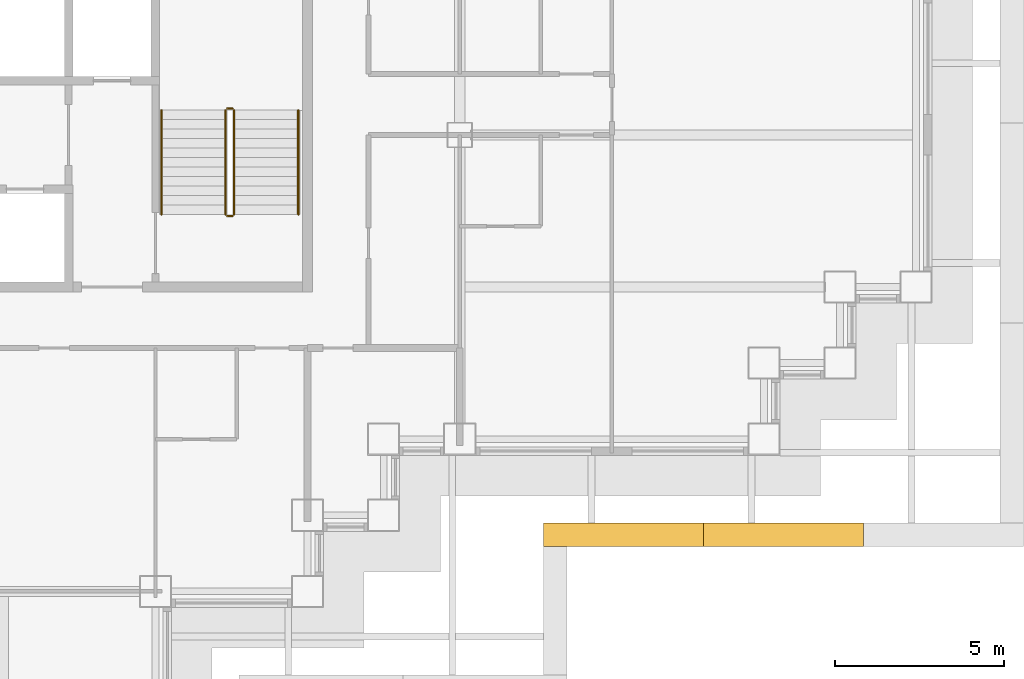
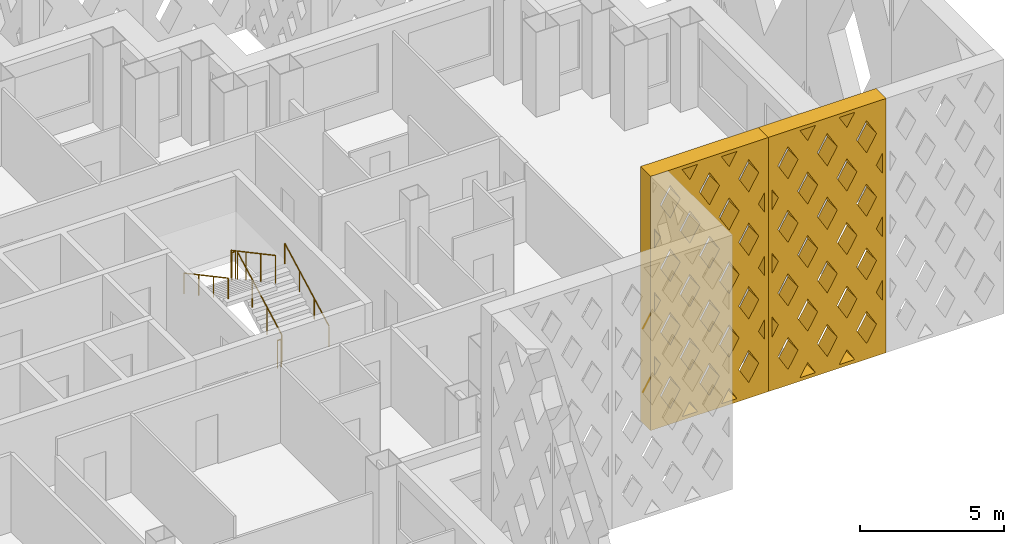
# One storey, part 16 of 19: 6 railings, 2 shading devices.
"""IFC4 building model written with IfcOpenShell, lengths in metres."""

from ifc_helpers import new_model, si_unit, direction, frame, origin, origin_2d, place, context, subcontext, project, spatial, polyline, circle, outline, extrude, material, type_object, element, save


model = new_model("IFC4")

# Units and contexts
model_context = context("Model", 3, precision=1e-05, world=origin(), true_north=direction((0.0, 1.0)))
body_context = subcontext(model_context, "Body", "Model", "MODEL_VIEW")
ifc_project = project(units=[si_unit("LENGTHUNIT", "METRE"), si_unit("AREAUNIT", "SQUARE_METRE"), si_unit("VOLUMEUNIT", "CUBIC_METRE"), si_unit("PLANEANGLEUNIT", "RADIAN"), si_unit("MASSUNIT", "GRAM", prefix="KILO")], contexts=[model_context])

# Site, building, storey
site_placement = place(None, origin())
site = spatial("IfcSite", under=ifc_project, at=site_placement, CompositionType="ELEMENT")
building_placement = place(site_placement, origin())
building = spatial("IfcBuilding", under=site, at=building_placement, Name="Caravel Reach Hotel and Residences", CompositionType="ELEMENT")
storey_placement = place(building_placement, frame((0.0, 0.0, 85.199951171875)))
storey = spatial("IfcBuildingStorey", under=building, at=storey_placement, Name="L20", CompositionType="ELEMENT", Elevation=85.199951171875)

# Shading devices
ifc_material_1 = material(Name="Black powder-coated aluminium", Category="aluminium")
shading_device_type = type_object("IfcShadingDeviceType", Name="Diamond lattice screen panel 4733 x 10800", PredefinedType="USERDEFINED", material=ifc_material_1)
shading_device_1_placement = place(storey_placement, frame((51.97509765625, 15.52490234375, 0.0), z_axis=(0.0, -1.0, 0.0), x_axis=(1.0, 0.0, 0.0)))
element("IfcShadingDevice", 1, at=shading_device_1_placement, inside=storey, type_object=shading_device_type, Name="Lattice screen L20-L22 6.1", ObjectType="SCREEN", PredefinedType="USERDEFINED", context=body_context, shape_type="SweptSolid", body=[
    extrude(outline(polyline([(0.0, 0.0), (4.7333984375, 0.0), (4.7333984375, 10.800048828125), (0.0, 10.800048828125), (0.0, 0.0)]), holes=[polyline([(0.4013671875, 2.699951171875), (0.14990234375, 3.130126953125), (0.14990234375, 2.269775390625), (0.4013671875, 2.699951171875)]), polyline([(0.4013671875, 5.39990234375), (0.14990234375, 5.830078125), (0.14990234375, 4.969970703125), (0.4013671875, 5.39990234375)]), polyline([(0.4013671875, 8.10009765625), (0.14990234375, 8.530029296875), (0.14990234375, 7.669921875), (0.4013671875, 8.10009765625)]), polyline([(0.788818359375, 2.036865234375), (0.387451171875, 1.35009765625), (0.788818359375, 0.6630859375), (1.190185546875, 1.35009765625), (0.788818359375, 2.036865234375)]), polyline([(0.788818359375, 4.73681640625), (0.387451171875, 4.050048828125), (0.788818359375, 3.36328125), (1.190185546875, 4.050048828125), (0.788818359375, 4.73681640625)]), polyline([(0.788818359375, 7.436767578125), (0.387451171875, 6.75), (0.788818359375, 6.063232421875), (1.190185546875, 6.75), (0.788818359375, 7.436767578125)]), polyline([(0.788818359375, 10.13671875), (0.387451171875, 9.449951171875), (0.788818359375, 8.76318359375), (1.190185546875, 9.449951171875), (0.788818359375, 10.13671875)]), polyline([(1.577880859375, 0.686767578125), (1.26416015625, 0.14990234375), (1.8916015625, 0.14990234375), (1.577880859375, 0.686767578125)]), polyline([(1.577880859375, 3.38671875), (1.176513671875, 2.699951171875), (1.577880859375, 2.01318359375), (1.979248046875, 2.699951171875), (1.577880859375, 3.38671875)]), polyline([(1.577880859375, 6.0869140625), (1.176513671875, 5.39990234375), (1.577880859375, 4.713134765625), (1.979248046875, 5.39990234375), (1.577880859375, 6.0869140625)]), polyline([(1.577880859375, 8.786865234375), (1.176513671875, 8.10009765625), (1.577880859375, 7.4130859375), (1.979248046875, 8.10009765625), (1.577880859375, 8.786865234375)]), polyline([(1.577880859375, 10.11328125), (1.8916015625, 10.64990234375), (1.26416015625, 10.64990234375), (1.577880859375, 10.11328125)]), polyline([(2.36669921875, 2.036865234375), (1.96533203125, 1.35009765625), (2.36669921875, 0.6630859375), (2.76806640625, 1.35009765625), (2.36669921875, 2.036865234375)]), polyline([(2.36669921875, 4.73681640625), (1.96533203125, 4.050048828125), (2.36669921875, 3.36328125), (2.76806640625, 4.050048828125), (2.36669921875, 4.73681640625)]), polyline([(2.36669921875, 7.436767578125), (1.96533203125, 6.75), (2.36669921875, 6.063232421875), (2.76806640625, 6.75), (2.36669921875, 7.436767578125)]), polyline([(2.36669921875, 10.13671875), (1.96533203125, 9.449951171875), (2.36669921875, 8.76318359375), (2.76806640625, 9.449951171875), (2.36669921875, 10.13671875)]), polyline([(3.155517578125, 0.686767578125), (2.841796875, 0.14990234375), (3.46923828125, 0.14990234375), (3.155517578125, 0.686767578125)]), polyline([(3.155517578125, 3.38671875), (2.754150390625, 2.699951171875), (3.155517578125, 2.01318359375), (3.556884765625, 2.699951171875), (3.155517578125, 3.38671875)]), polyline([(3.155517578125, 6.0869140625), (2.754150390625, 5.39990234375), (3.155517578125, 4.713134765625), (3.556884765625, 5.39990234375), (3.155517578125, 6.0869140625)]), polyline([(3.155517578125, 8.786865234375), (2.754150390625, 8.10009765625), (3.155517578125, 7.4130859375), (3.556884765625, 8.10009765625), (3.155517578125, 8.786865234375)]), polyline([(3.155517578125, 10.11328125), (3.46923828125, 10.64990234375), (2.841796875, 10.64990234375), (3.155517578125, 10.11328125)]), polyline([(3.9443359375, 2.036865234375), (3.54296875, 1.35009765625), (3.9443359375, 0.6630859375), (4.345703125, 1.35009765625), (3.9443359375, 2.036865234375)]), polyline([(3.9443359375, 4.73681640625), (3.54296875, 4.050048828125), (3.9443359375, 3.36328125), (4.345703125, 4.050048828125), (3.9443359375, 4.73681640625)]), polyline([(3.9443359375, 7.436767578125), (3.54296875, 6.75), (3.9443359375, 6.063232421875), (4.345703125, 6.75), (3.9443359375, 7.436767578125)]), polyline([(3.9443359375, 10.13671875), (3.54296875, 9.449951171875), (3.9443359375, 8.76318359375), (4.345703125, 9.449951171875), (3.9443359375, 10.13671875)]), polyline([(4.33203125, 2.699951171875), (4.583251953125, 2.269775390625), (4.583251953125, 3.130126953125), (4.33203125, 2.699951171875)]), polyline([(4.33203125, 5.39990234375), (4.583251953125, 4.969970703125), (4.583251953125, 5.830078125), (4.33203125, 5.39990234375)]), polyline([(4.33203125, 8.10009765625), (4.583251953125, 7.669921875), (4.583251953125, 8.530029296875), (4.33203125, 8.10009765625)])]), origin(), (0.0, 0.0, 1.0), 0.699951171875),
])
shading_device_2_placement = place(storey_placement, frame((56.708251953125, 15.52490234375, 0.0), z_axis=(0.0, -1.0, 0.0), x_axis=(1.0, 0.0, 0.0)))
element("IfcShadingDevice", 2, at=shading_device_2_placement, inside=storey, type_object=shading_device_type, Name="Lattice screen L20-L22 6.2", ObjectType="SCREEN", PredefinedType="USERDEFINED", context=body_context, shape_type="SweptSolid", body=[
    extrude(outline(polyline([(0.0, 0.0), (4.7333984375, 0.0), (4.7333984375, 10.800048828125), (0.0, 10.800048828125), (0.0, 0.0)]), holes=[polyline([(0.4013671875, 2.699951171875), (0.14990234375, 3.130126953125), (0.14990234375, 2.269775390625), (0.4013671875, 2.699951171875)]), polyline([(0.4013671875, 5.39990234375), (0.14990234375, 5.830078125), (0.14990234375, 4.969970703125), (0.4013671875, 5.39990234375)]), polyline([(0.4013671875, 8.10009765625), (0.14990234375, 8.530029296875), (0.14990234375, 7.669921875), (0.4013671875, 8.10009765625)]), polyline([(0.788818359375, 2.036865234375), (0.387451171875, 1.35009765625), (0.788818359375, 0.6630859375), (1.190185546875, 1.35009765625), (0.788818359375, 2.036865234375)]), polyline([(0.788818359375, 4.73681640625), (0.387451171875, 4.050048828125), (0.788818359375, 3.36328125), (1.190185546875, 4.050048828125), (0.788818359375, 4.73681640625)]), polyline([(0.788818359375, 7.436767578125), (0.387451171875, 6.75), (0.788818359375, 6.063232421875), (1.190185546875, 6.75), (0.788818359375, 7.436767578125)]), polyline([(0.788818359375, 10.13671875), (0.387451171875, 9.449951171875), (0.788818359375, 8.76318359375), (1.190185546875, 9.449951171875), (0.788818359375, 10.13671875)]), polyline([(1.577880859375, 0.686767578125), (1.26416015625, 0.14990234375), (1.8916015625, 0.14990234375), (1.577880859375, 0.686767578125)]), polyline([(1.577880859375, 3.38671875), (1.176513671875, 2.699951171875), (1.577880859375, 2.01318359375), (1.979248046875, 2.699951171875), (1.577880859375, 3.38671875)]), polyline([(1.577880859375, 6.0869140625), (1.176513671875, 5.39990234375), (1.577880859375, 4.713134765625), (1.979248046875, 5.39990234375), (1.577880859375, 6.0869140625)]), polyline([(1.577880859375, 8.786865234375), (1.176513671875, 8.10009765625), (1.577880859375, 7.4130859375), (1.979248046875, 8.10009765625), (1.577880859375, 8.786865234375)]), polyline([(1.577880859375, 10.11328125), (1.8916015625, 10.64990234375), (1.26416015625, 10.64990234375), (1.577880859375, 10.11328125)]), polyline([(2.36669921875, 2.036865234375), (1.96533203125, 1.35009765625), (2.36669921875, 0.6630859375), (2.76806640625, 1.35009765625), (2.36669921875, 2.036865234375)]), polyline([(2.36669921875, 4.73681640625), (1.96533203125, 4.050048828125), (2.36669921875, 3.36328125), (2.76806640625, 4.050048828125), (2.36669921875, 4.73681640625)]), polyline([(2.36669921875, 7.436767578125), (1.96533203125, 6.75), (2.36669921875, 6.063232421875), (2.76806640625, 6.75), (2.36669921875, 7.436767578125)]), polyline([(2.36669921875, 10.13671875), (1.96533203125, 9.449951171875), (2.36669921875, 8.76318359375), (2.76806640625, 9.449951171875), (2.36669921875, 10.13671875)]), polyline([(3.155517578125, 0.686767578125), (2.841796875, 0.14990234375), (3.46923828125, 0.14990234375), (3.155517578125, 0.686767578125)]), polyline([(3.155517578125, 3.38671875), (2.754150390625, 2.699951171875), (3.155517578125, 2.01318359375), (3.556884765625, 2.699951171875), (3.155517578125, 3.38671875)]), polyline([(3.155517578125, 6.0869140625), (2.754150390625, 5.39990234375), (3.155517578125, 4.713134765625), (3.556884765625, 5.39990234375), (3.155517578125, 6.0869140625)]), polyline([(3.155517578125, 8.786865234375), (2.754150390625, 8.10009765625), (3.155517578125, 7.4130859375), (3.556884765625, 8.10009765625), (3.155517578125, 8.786865234375)]), polyline([(3.155517578125, 10.11328125), (3.46923828125, 10.64990234375), (2.841796875, 10.64990234375), (3.155517578125, 10.11328125)]), polyline([(3.9443359375, 2.036865234375), (3.54296875, 1.35009765625), (3.9443359375, 0.6630859375), (4.345703125, 1.35009765625), (3.9443359375, 2.036865234375)]), polyline([(3.9443359375, 4.73681640625), (3.54296875, 4.050048828125), (3.9443359375, 3.36328125), (4.345703125, 4.050048828125), (3.9443359375, 4.73681640625)]), polyline([(3.9443359375, 7.436767578125), (3.54296875, 6.75), (3.9443359375, 6.063232421875), (4.345703125, 6.75), (3.9443359375, 7.436767578125)]), polyline([(3.9443359375, 10.13671875), (3.54296875, 9.449951171875), (3.9443359375, 8.76318359375), (4.345703125, 9.449951171875), (3.9443359375, 10.13671875)]), polyline([(4.33203125, 2.699951171875), (4.583251953125, 2.269775390625), (4.583251953125, 3.130126953125), (4.33203125, 2.699951171875)]), polyline([(4.33203125, 5.39990234375), (4.583251953125, 4.969970703125), (4.583251953125, 5.830078125), (4.33203125, 5.39990234375)]), polyline([(4.33203125, 8.10009765625), (4.583251953125, 7.669921875), (4.583251953125, 8.530029296875), (4.33203125, 8.10009765625)])]), origin(), (0.0, 0.0, 1.0), 0.699951171875),
])

# Railings
ifc_material_2 = material(Name="Steel balustrade with glass infill", Category="steel")
railing_type_1 = type_object("IfcRailingType", Name="Guard 1200", PredefinedType="GUARDRAIL", material=ifc_material_2)
railing_1_placement = place(storey_placement, frame((42.824951171875, 24.64990234375, 0.150146484375)))
element("IfcRailing", 3, at=railing_1_placement, inside=storey, type_object=railing_type_1, Name="L20 ST-B stair guard 1", PredefinedType="GUARDRAIL", context=body_context, shape_type="SweptSolid", body=[
    extrude(circle(Radius=0.02392578125, at=origin_2d()), frame((0.0, 0.0, 1.17578125), z_axis=(0.0, 0.881496589024, 0.472190389079), x_axis=(-1.0, 0.0, 0.0)), (0.0, 0.0, 1.0), 3.494140625),
    extrude(circle(Radius=0.02099609375, at=origin_2d()), origin(), (0.0, 0.0, 1.0), 1.15185546875),
    extrude(circle(Radius=0.02099609375, at=origin_2d()), frame((0.0, 1.026611328125, 0.550048828125)), (0.0, 0.0, 1.0), 1.15185546875),
    extrude(circle(Radius=0.02099609375, at=origin_2d()), frame((0.0, 2.053466796875, 1.099853515625)), (0.0, 0.0, 1.0), 1.15185546875),
    extrude(circle(Radius=0.02099609375, at=origin_2d()), frame((0.0, 3.080078125, 1.64990234375)), (0.0, 0.0, 1.0), 1.15185546875),
])
railing_2_placement = place(storey_placement, frame((42.77490234375, 27.780029296875, 1.800048828125)))
element("IfcRailing", 4, at=railing_2_placement, inside=storey, type_object=railing_type_1, Name="L20 ST-B stair guard 2", PredefinedType="GUARDRAIL", context=body_context, shape_type="SweptSolid", body=[
    extrude(circle(Radius=0.02392578125, at=origin_2d()), frame((0.0, 0.0, 1.17578125), z_axis=(-1.0, 0.0, 0.0), x_axis=(0.0, -1.0, 0.0)), (0.0, 0.0, 1.0), 0.14990234375),
    extrude(circle(Radius=0.02099609375, at=origin_2d()), origin(), (0.0, 0.0, 1.0), 1.15185546875),
    extrude(circle(Radius=0.02099609375, at=origin_2d()), frame((-0.14990234375, 0.0, 0.0)), (0.0, 0.0, 1.0), 1.15185546875),
])
railing_3_placement = place(storey_placement, frame((42.574951171875, 27.72998046875, 1.949951171875)))
element("IfcRailing", 5, at=railing_3_placement, inside=storey, type_object=railing_type_1, Name="L20 ST-B stair guard 3", PredefinedType="GUARDRAIL", context=body_context, shape_type="SweptSolid", body=[
    extrude(circle(Radius=0.02392578125, at=origin_2d()), frame((0.0, 0.0, 1.17578125), z_axis=(0.0, -0.881467505477, 0.472244678941), x_axis=(1.0, 0.0, 0.0)), (0.0, 0.0, 1.0), 3.494140625),
    extrude(circle(Radius=0.02099609375, at=origin_2d()), origin(), (0.0, 0.0, 1.0), 1.15185546875),
    extrude(circle(Radius=0.02099609375, at=origin_2d()), frame((0.0, -1.026611328125, 0.550048828125)), (0.0, 0.0, 1.0), 1.15185546875),
    extrude(circle(Radius=0.02099609375, at=origin_2d()), frame((0.0, -2.053466796875, 1.10009765625)), (0.0, 0.0, 1.0), 1.15185546875),
    extrude(circle(Radius=0.02099609375, at=origin_2d()), frame((0.0, -3.080078125, 1.650146484375)), (0.0, 0.0, 1.0), 1.15185546875),
])
railing_4_placement = place(storey_placement, frame((42.77490234375, 24.60009765625, 0.0)))
element("IfcRailing", 6, at=railing_4_placement, inside=storey, type_object=railing_type_1, Name="L20 ST-B stair guard 4", PredefinedType="GUARDRAIL", context=body_context, shape_type="SweptSolid", body=[
    extrude(circle(Radius=0.02392578125, at=origin_2d()), frame((0.0, 0.0, 1.17578125), z_axis=(-1.0, 0.0, 0.0), x_axis=(0.0, -1.0, 0.0)), (0.0, 0.0, 1.0), 0.14990234375),
    extrude(circle(Radius=0.02099609375, at=origin_2d()), origin(), (0.0, 0.0, 1.0), 1.15185546875),
    extrude(circle(Radius=0.02099609375, at=origin_2d()), frame((-0.14990234375, 0.0, 0.0)), (0.0, 0.0, 1.0), 1.15185546875),
])
ifc_material_3 = material(Name="Stainless steel handrail", Category="steel")
railing_type_2 = type_object("IfcRailingType", Name="Handrail 900", PredefinedType="HANDRAIL", material=ifc_material_3)
railing_5_placement = place(storey_placement, frame((44.72509765625, 24.64990234375, 0.150146484375)))
element("IfcRailing", 7, at=railing_5_placement, inside=storey, type_object=railing_type_2, Name="L20 ST-B stair handrail 1", PredefinedType="HANDRAIL", context=body_context, shape_type="SweptSolid", body=[
    extrude(circle(Radius=0.02392578125, at=origin_2d()), frame((0.0, 0.0, 0.8759765625), z_axis=(0.0, 0.881496589024, 0.472190389079), x_axis=(-1.0, 0.0, 0.0)), (0.0, 0.0, 1.0), 3.494140625),
    extrude(circle(Radius=0.02099609375, at=origin_2d()), origin(), (0.0, 0.0, 1.0), 0.851806640625),
    extrude(circle(Radius=0.02099609375, at=origin_2d()), frame((0.0, 1.026611328125, 0.550048828125)), (0.0, 0.0, 1.0), 0.851806640625),
    extrude(circle(Radius=0.02099609375, at=origin_2d()), frame((0.0, 2.053466796875, 1.099853515625)), (0.0, 0.0, 1.0), 0.851806640625),
    extrude(circle(Radius=0.02099609375, at=origin_2d()), frame((0.0, 3.080078125, 1.64990234375)), (0.0, 0.0, 1.0), 0.851806640625),
])
railing_6_placement = place(storey_placement, frame((40.675048828125, 27.72998046875, 1.949951171875)))
element("IfcRailing", 8, at=railing_6_placement, inside=storey, type_object=railing_type_2, Name="L20 ST-B stair handrail 2", PredefinedType="HANDRAIL", context=body_context, shape_type="SweptSolid", body=[
    extrude(circle(Radius=0.02392578125, at=origin_2d()), frame((0.0, 0.0, 0.8759765625), z_axis=(0.0, -0.881467505477, 0.472244678941), x_axis=(1.0, 0.0, 0.0)), (0.0, 0.0, 1.0), 3.494140625),
    extrude(circle(Radius=0.02099609375, at=origin_2d()), origin(), (0.0, 0.0, 1.0), 0.851806640625),
    extrude(circle(Radius=0.02099609375, at=origin_2d()), frame((0.0, -1.026611328125, 0.550048828125)), (0.0, 0.0, 1.0), 0.851806640625),
    extrude(circle(Radius=0.02099609375, at=origin_2d()), frame((0.0, -2.053466796875, 1.10009765625)), (0.0, 0.0, 1.0), 0.851806640625),
    extrude(circle(Radius=0.02099609375, at=origin_2d()), frame((0.0, -3.080078125, 1.650146484375)), (0.0, 0.0, 1.0), 0.851806640625),
])

save(model, "model.ifc")
